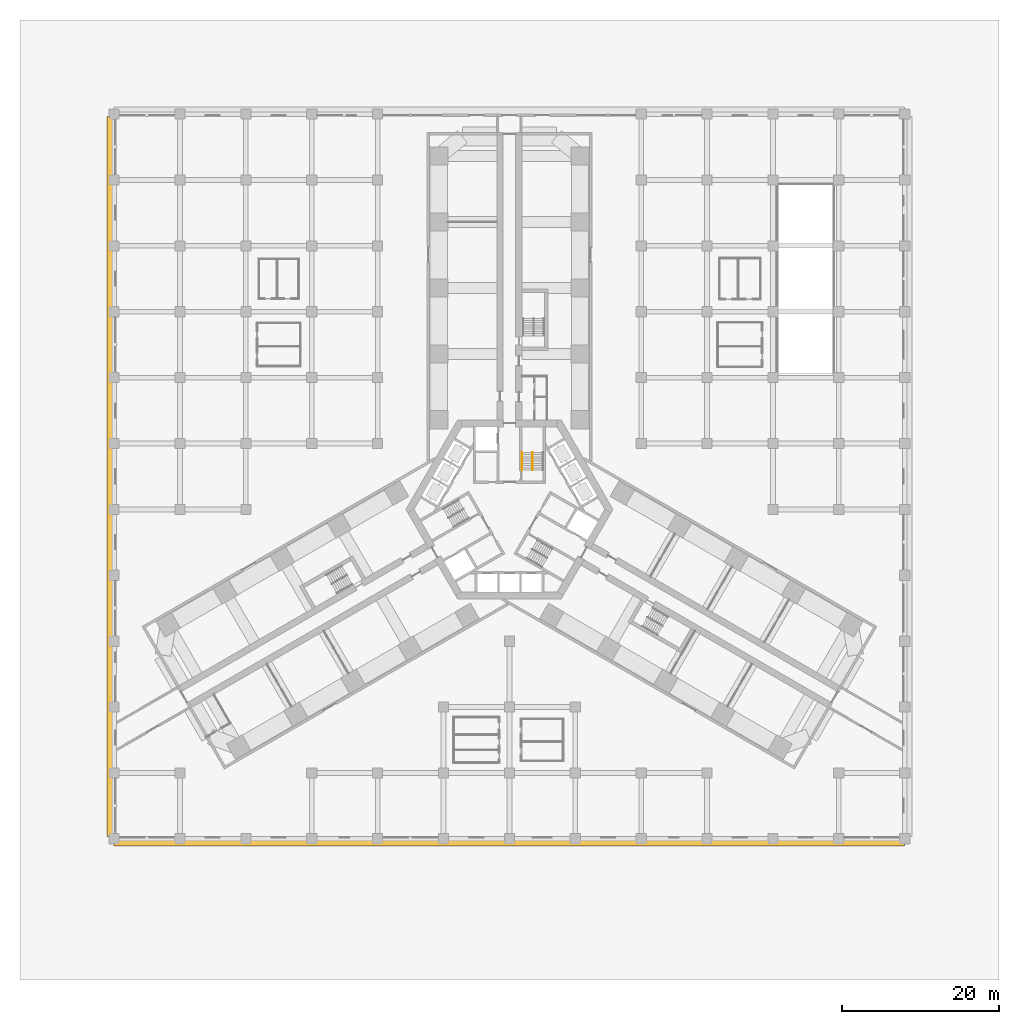
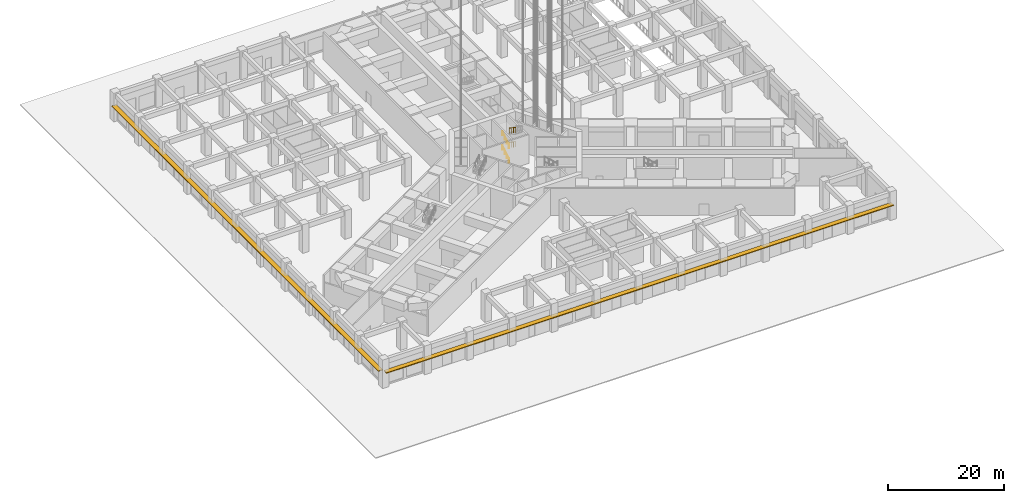
# One storey, part 18 of 33: 4 railings, 1 shading device.
"""IFC4 building model written with IfcOpenShell, lengths in metres."""

import ifcopenshell
import ifcopenshell.guid

model = None  # the IFC model being written
_history = None  # IfcOwnerHistory: only IFC2X3 demands one
_inside = {}  # id of a spatial element -> (the spatial element, [elements in it])
_under = {}  # id of a project, library or spatial element -> (it, [spatial elements below it])
_declared = {}  # id of a project -> (the project, [libraries it declares])
_typed = {}  # id of a type object -> (the type object, [elements of that type])
_made_of = {}  # id of a material, layer set ... -> (it, [elements and type objects made of it])


def new_model(schema):
    """Start an empty IFC model of exactly this schema.

    Asked for "IFC4X3", IfcOpenShell would pick the latest addendum, in which some entities
    have other attributes; the version numbers below select the first issue.
    IFC2X3 requires an IfcOwnerHistory on every rooted entity: one is made here for all.
    """
    global model, _history
    if schema == "IFC4X3":
        model = ifcopenshell.file(schema_version=(4, 3, 0, 0))
    else:
        model = ifcopenshell.file(schema=schema)
    _inside.clear()
    _under.clear()
    _declared.clear()
    _typed.clear()
    _made_of.clear()
    _history = None
    if model.schema == "IFC2X3":
        org = make("IfcOrganization", Name="unknown")
        user = make(
            "IfcPersonAndOrganization",
            ThePerson=make("IfcPerson", FamilyName="unknown"),
            TheOrganization=org,
        )
        app = make(
            "IfcApplication",
            ApplicationDeveloper=org,
            Version="unknown",
            ApplicationFullName="unknown",
            ApplicationIdentifier="unknown",
        )
        _history = make(
            "IfcOwnerHistory",
            OwningUser=user,
            OwningApplication=app,
            ChangeAction="ADDED",
            CreationDate=0,
        )
    return model


def make(cls, **values):
    """One entity of the class cls with the attributes given. An attribute that is None is left unset."""
    return model.create_entity(
        cls, **{name: value for name, value in values.items() if value is not None}
    )


def rooted(cls, **values):
    """An entity with a GlobalId (a new one), such as an element, a storey or a relation."""
    return make(cls, GlobalId=ifcopenshell.guid.new(), OwnerHistory=_history, **values)


def si_unit(unit_type, name, prefix=None):
    """IfcSIUnit, for example si_unit("LENGTHUNIT", "METRE", prefix="MILLI")."""
    return make("IfcSIUnit", UnitType=unit_type, Prefix=prefix, Name=name)


def assignment(units):
    """IfcUnitAssignment: the units of a project."""
    return None if units is None else make("IfcUnitAssignment", Units=units)


def point(xyz):
    """IfcCartesianPoint."""
    return None if xyz is None else make("IfcCartesianPoint", Coordinates=xyz)


def direction(xyz):
    """IfcDirection."""
    return None if xyz is None else make("IfcDirection", DirectionRatios=xyz)


def frame(location, z_axis=None, x_axis=None):
    """IfcAxis2Placement3D, a coordinate frame: its origin and axes. An axis left out is left unset."""
    return make(
        "IfcAxis2Placement3D",
        Location=point(location),
        Axis=direction(z_axis),
        RefDirection=direction(x_axis),
    )


def frame_2d(location, x_axis=None):
    """IfcAxis2Placement2D, a coordinate frame in the plane: its origin and x axis."""
    return make(
        "IfcAxis2Placement2D", Location=point(location), RefDirection=direction(x_axis)
    )


def origin():
    """The frame at (0, 0, 0) with its axes left unset."""
    return frame((0.0, 0.0, 0.0))


def origin_2d():
    """The frame at (0, 0) in the plane with its x axis left unset."""
    return frame_2d((0.0, 0.0))


def place(relative_to, where):
    """IfcLocalPlacement: puts the frame where relative to a parent placement (None: the world)."""
    return make(
        "IfcLocalPlacement", PlacementRelTo=relative_to, RelativePlacement=where
    )


def context(
    kind, dimensions, precision=None, world=None, true_north=None, identifier=None
):
    """IfcGeometricRepresentationContext, for example the 3D "Model" context."""
    return make(
        "IfcGeometricRepresentationContext",
        ContextIdentifier=identifier,
        ContextType=kind,
        CoordinateSpaceDimension=dimensions,
        Precision=precision,
        WorldCoordinateSystem=world,
        TrueNorth=true_north,
    )


def subcontext(parent, identifier, kind, view, scale=None):
    """IfcGeometricRepresentationSubContext, for example "Body" below "Model"."""
    return make(
        "IfcGeometricRepresentationSubContext",
        ContextIdentifier=identifier,
        ContextType=kind,
        ParentContext=parent,
        TargetScale=scale,
        TargetView=view,
    )


def project(units=None, contexts=None):
    """IfcProject with its units and contexts."""
    return rooted(
        "IfcProject",
        Name="project",
        RepresentationContexts=contexts,
        UnitsInContext=assignment(units),
    )


def spatial(cls, under=None, at=None, **own):
    """A site, building, storey or space (cls), placed at a placement, below another one or the project."""
    s = rooted(cls, ObjectPlacement=at, **own)
    if under is not None:
        _under.setdefault(under.id(), (under, []))[1].append(s)
    return s


def profile(cls, at=None, kind="AREA", **sizes):
    """A parametric profile (cls). Its sizes go by their IFC names, for example OverallWidth=200.0."""
    return make(cls, ProfileType=kind, Position=at, **sizes)


def rectangle(**sizes):
    """IfcRectangleProfileDef."""
    return profile("IfcRectangleProfileDef", **sizes)


def circle(**sizes):
    """IfcCircleProfileDef."""
    return profile("IfcCircleProfileDef", **sizes)


def extrude(swept, where, along, depth):
    """IfcExtrudedAreaSolid: the profile swept, set in the frame where, extruded along a direction by depth."""
    return make(
        "IfcExtrudedAreaSolid",
        SweptArea=swept,
        Position=where,
        ExtrudedDirection=direction(along),
        Depth=depth,
    )


def shape(context_of_items, identifier, shape_type, items):
    """IfcShapeRepresentation: the items that make up one representation, for example the "Body"."""
    return make(
        "IfcShapeRepresentation",
        ContextOfItems=context_of_items,
        RepresentationIdentifier=identifier,
        RepresentationType=shape_type,
        Items=items,
    )


def material(Name=None, Category=None):
    """IfcMaterial."""
    return make("IfcMaterial", Name=Name, Category=Category)


def layer(
    of_material, thickness, ventilated=None, Name=None, Category=None, Priority=None
):
    """IfcMaterialLayer: one layer of a wall or slab, of a material (None: an air gap)."""
    return make(
        "IfcMaterialLayer",
        Material=of_material,
        LayerThickness=thickness,
        IsVentilated=ventilated,
        Name=Name,
        Category=Category,
        Priority=Priority,
    )


def layer_set(layers, Name=None):
    """IfcMaterialLayerSet."""
    return make("IfcMaterialLayerSet", MaterialLayers=layers, LayerSetName=Name)


def made_of(thing, what):
    """Note that an element or type object is made of a material, layer set ...; save() writes the relation."""
    if what is not None:
        _made_of.setdefault(what.id(), (what, []))[1].append(thing)
    return thing


def type_object(cls, material=None, **own):
    """A type object (cls), such as IfcWallType, which elements share."""
    return made_of(rooted(cls, **own), material)


def element(
    cls,
    number,
    at=None,
    inside=None,
    cuts=None,
    type_object=None,
    material=None,
    context=None,
    identifier="Body",
    shape_type=None,
    held_by="IfcProductDefinitionShape",
    body=None,
    shapes=None,
    **own,
):
    """One element of the class cls, such as IfcWall. Its Tag is "e" and its number.

    at: its placement. inside: the storey or other place that contains it. cuts: it is an
    opening in that element (IfcRelVoidsElement). A single representation is given by context,
    identifier, shape_type and body (its items); several are given by shapes. held_by: the class
    of the entity that holds the representations. save() writes the other relations.
    """
    e = rooted(cls, Tag="e%d" % number, ObjectPlacement=at, **own)
    if body is not None:
        shapes = [shape(context, identifier, shape_type, body)]
    if shapes is not None:
        e.Representation = make(held_by, Representations=shapes)
    if inside is not None:
        _inside.setdefault(inside.id(), (inside, []))[1].append(e)
    if cuts is not None:
        rooted(
            "IfcRelVoidsElement", RelatingBuildingElement=cuts, RelatedOpeningElement=e
        )
    if type_object is not None:
        _typed.setdefault(type_object.id(), (type_object, []))[1].append(e)
    return made_of(e, material)


def aggregate(whole, parts):
    """IfcRelAggregates: a whole, such as a stair, and the parts it consists of."""
    return rooted("IfcRelAggregates", RelatingObject=whole, RelatedObjects=parts)


def save(model, path):
    """Write the relations noted so far, then the file.

    IfcRelAggregates (storeys below a building ...), IfcRelContainedInSpatialStructure (elements
    in a storey), IfcRelDefinesByType, IfcRelAssociatesMaterial and IfcRelDeclares: one each for
    every whole, place, type object, material and project.
    """
    for whole, parts in _under.values():
        aggregate(whole, parts)
    for where, things in _inside.values():
        rooted(
            "IfcRelContainedInSpatialStructure",
            RelatedElements=things,
            RelatingStructure=where,
        )
    for kind, things in _typed.values():
        rooted("IfcRelDefinesByType", RelatedObjects=things, RelatingType=kind)
    for what, things in _made_of.values():
        rooted("IfcRelAssociatesMaterial", RelatedObjects=things, RelatingMaterial=what)
    for by, libraries in _declared.values():
        rooted("IfcRelDeclares", RelatingContext=by, RelatedDefinitions=libraries)
    model.write(path)


model = new_model("IFC4")

# Units and contexts
model_context = context("Model", 3, precision=1e-05, world=origin(), true_north=direction((0.0, 1.0)))
body_context = subcontext(model_context, "Body", "Model", "MODEL_VIEW")
ifc_project = project(units=[si_unit("LENGTHUNIT", "METRE"), si_unit("AREAUNIT", "SQUARE_METRE"), si_unit("VOLUMEUNIT", "CUBIC_METRE"), si_unit("PLANEANGLEUNIT", "RADIAN"), si_unit("MASSUNIT", "GRAM", prefix="KILO")], contexts=[model_context])

# Site, building, storey
site_placement = place(None, origin())
site = spatial("IfcSite", under=ifc_project, at=site_placement, CompositionType="ELEMENT")
building_placement = place(site_placement, origin())
building = spatial("IfcBuilding", under=site, at=building_placement, Name="Impinga Residences", CompositionType="ELEMENT")
storey_placement = place(building_placement, origin())
storey = spatial("IfcBuildingStorey", under=building, at=storey_placement, Name="L00", CompositionType="ELEMENT", Elevation=0.0)

# Railings
ifc_material_1 = material(Name="Steel guard, powder coated", Category="steel")
railing_type_1 = type_object("IfcRailingType", Name="GR1 stair guard 1100", PredefinedType="GUARDRAIL", material=ifc_material_1)
for number, where, name in (
    (1, (2.949951171875, 7.27001953125, 1.5), "Stair guard GR1 ST1 L00"),
    (2, (2.949951171875, 7.27001953125, 4.5), "Stair guard GR1 ST1 L00"),
):
    element("IfcRailing", number, at=place(storey_placement, frame(where)), inside=storey, type_object=railing_type_1, Name=name, PredefinedType="GUARDRAIL", context=body_context, shape_type="SweptSolid", body=[
        extrude(circle(Radius=0.02392578125, at=origin_2d()), frame((0.0, 0.0, 1.076171875), z_axis=(0.0, -0.830906055479, 0.556412730775), x_axis=(1.0, 0.0, 0.0)), (0.0, 0.0, 1.0), 2.69580078125),
        extrude(circle(Radius=0.02099609375, at=origin_2d()), origin(), (0.0, 0.0, 1.0), 1.052001953125),
        extrude(circle(Radius=0.02099609375, at=origin_2d()), frame((0.0, -0.74658203125, 0.5)), (0.0, 0.0, 1.0), 1.052001953125),
        extrude(circle(Radius=0.02099609375, at=origin_2d()), frame((0.0, -1.493408203125, 1.0)), (0.0, 0.0, 1.0), 1.052001953125),
        extrude(circle(Radius=0.02099609375, at=origin_2d()), frame((0.0, -2.239990234375, 1.5)), (0.0, 0.0, 1.0), 1.052001953125),
    ])
ifc_material_2 = material(Name="Steel handrail tube 42 mm, powder coated", Category="steel")
railing_type_2 = type_object("IfcRailingType", Name="HR1 stair handrail, 42 mm steel tube, 900 above the pitch line", PredefinedType="HANDRAIL", material=ifc_material_2)
for number, where, name in (
    (3, (1.62109375, 5.030029296875, 0.166748046875), "Stair handrail HR1 ST1 L00"),
    (4, (1.62109375, 5.030029296875, 3.166748046875), "Stair handrail HR1 ST1 L00"),
):
    element("IfcRailing", number, at=place(storey_placement, frame(where)), inside=storey, type_object=railing_type_2, Name=name, PredefinedType="HANDRAIL", context=body_context, shape_type="SweptSolid", body=[
        extrude(circle(Radius=0.02099609375, at=origin_2d()), frame((0.0, 0.0, 0.87890625), z_axis=(0.0, 0.859305625298, 0.511462454469), x_axis=(-1.0, 0.0, 0.0)), (0.0, 0.0, 1.0), 2.606689453125),
        extrude(circle(Radius=0.012451171875, at=origin_2d()), origin(), (0.0, 0.0, 1.0), 0.85791015625),
        extrude(circle(Radius=0.012451171875, at=origin_2d()), frame((0.0, 0.74658203125, 0.4443359375)), (0.0, 0.0, 1.0), 0.85791015625),
        extrude(circle(Radius=0.012451171875, at=origin_2d()), frame((0.0, 1.493408203125, 0.888916015625)), (0.0, 0.0, 1.0), 0.85791015625),
        extrude(circle(Radius=0.012451171875, at=origin_2d()), frame((0.0, 2.239990234375, 1.333251953125)), (0.0, 0.0, 1.0), 0.85791015625),
    ])

# Shading device
ifc_material_3 = material(Name="Terracotta sunshade blades on aluminium brackets", Category="masonry")
ifc_layer = layer(ifc_material_3, 0.14990234375)
ifc_layer_set = layer_set([ifc_layer], Name="SS1 SUNSHADE terracotta sunshade band 900")
shading_device_type = type_object("IfcShadingDeviceType", Name="SS1 SUNSHADE terracotta sunshade band 900", PredefinedType="USERDEFINED", material=ifc_layer_set)
shading_device_placement = place(storey_placement, frame((-50.85009765625, 4.199951171875, 3.10009765625), z_axis=(0.0, 0.0, 1.0), x_axis=(0.0, 1.0, 0.0)))
element("IfcShadingDevice", 5, at=shading_device_placement, inside=storey, type_object=shading_device_type, Name="SUNSHADE band L00 WEST WING", ObjectType="SUNSHADE", PredefinedType="USERDEFINED", context=body_context, shape_type="SweptSolid", body=[
    extrude(rectangle(XDim=91.800048828125, YDim=0.89990234375, at=origin_2d()), origin(), (0.0, 0.0, 1.0), 0.14990234375),
    extrude(rectangle(XDim=100.800048828125, YDim=0.89990234375, at=origin_2d()), frame((-46.64990234375, -50.85009765625, 0.0), z_axis=(0.0, 0.0, 1.0), x_axis=(0.0, 1.0, 0.0)), (0.0, 0.0, 1.0), 0.14990234375),
])

save(model, "model.ifc")
